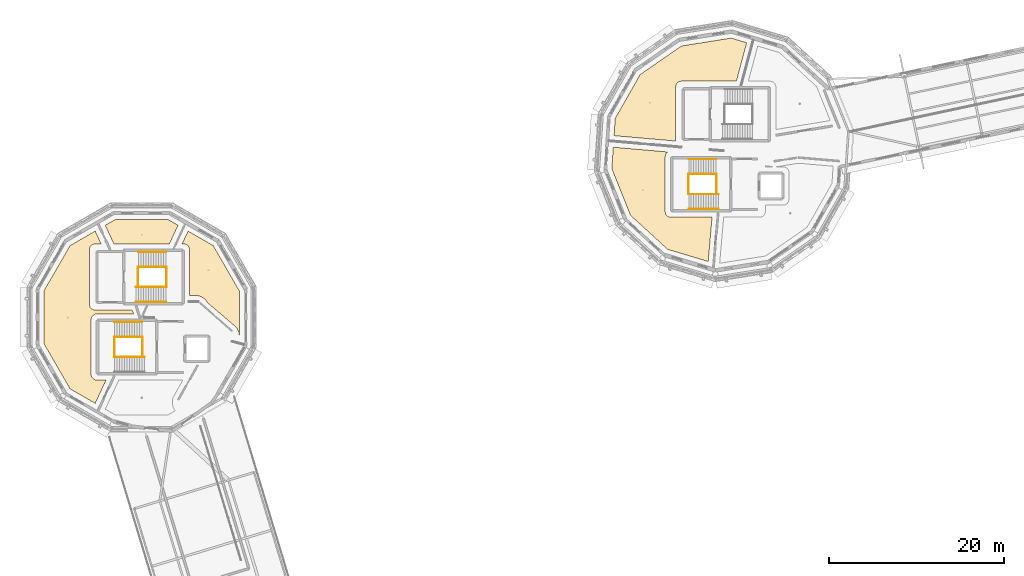
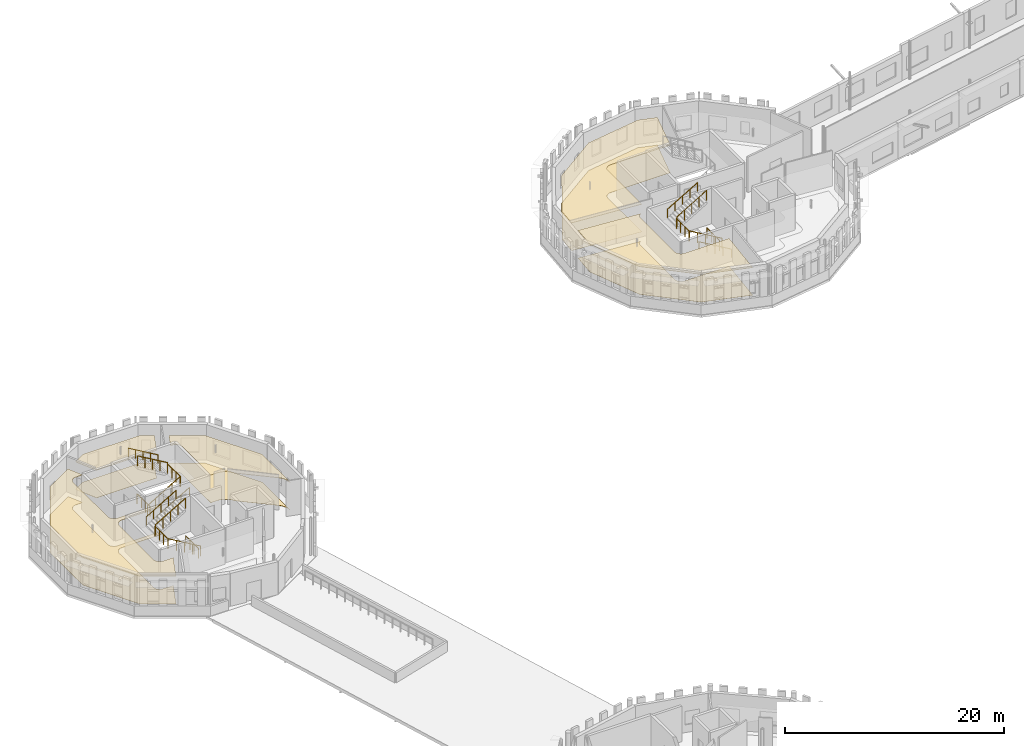
# One storey, part 65 of 68: 17 railings, 10 coverings.
"""IFC4 building model written with IfcOpenShell, lengths in metres."""

from ifc_helpers import new_model, si_unit, direction, frame, origin, origin_2d, place, context, subcontext, project, spatial, polyline, circle, outline, extrude, material, layer, layer_set, type_object, element, save


model = new_model("IFC4")

# Units and contexts
model_context = context("Model", 3, precision=1e-05, world=origin(), true_north=direction((0.0, 1.0)))
body_context = subcontext(model_context, "Body", "Model", "MODEL_VIEW")
ifc_project = project(units=[si_unit("LENGTHUNIT", "METRE"), si_unit("AREAUNIT", "SQUARE_METRE"), si_unit("VOLUMEUNIT", "CUBIC_METRE"), si_unit("PLANEANGLEUNIT", "RADIAN"), si_unit("MASSUNIT", "GRAM", prefix="KILO")], contexts=[model_context])

# Site, building, storey
site_placement = place(None, origin())
site = spatial("IfcSite", under=ifc_project, at=site_placement, CompositionType="ELEMENT")
building_placement = place(site_placement, origin())
building = spatial("IfcBuilding", under=site, at=building_placement, Name="Wrenclough Park School", CompositionType="ELEMENT")
storey_placement = place(building_placement, frame((0.0, 0.0, 12.60009765625)))
storey = spatial("IfcBuildingStorey", under=building, at=storey_placement, Name="L03", CompositionType="ELEMENT", Elevation=12.60009765625)

# Coverings
ifc_material_1 = material(Name="Class A mineral-fibre acoustic ceiling raft", Category="gypsum")
ifc_layer_1 = layer(ifc_material_1, 0.044921875)
ifc_layer_set_1 = layer_set([ifc_layer_1], Name="Class A mineral-fibre acoustic ceiling raft")
covering_type_1 = type_object("IfcCoveringType", Name="INT-COV-CEIL", PredefinedType="CEILING", material=ifc_layer_set_1)
covering_1_placement = place(storey_placement, frame((0.0, 0.0, 3.054931640625)))
element("IfcCovering", 1, at=covering_1_placement, inside=storey, type_object=covering_type_1, Name="Applied Physics Science Laboratory acoustic ceiling raft", PredefinedType="CEILING", context=body_context, shape_type="SweptSolid", body=[
    extrude(outline(polyline([(11.3798828125, 89.8701171875), (15.6103515625, 89.8701171875), (15.395751953125, 90.330078125), (11.1162109375, 90.3330078125), (10.9912109375, 90.35791015625), (10.931396484375, 90.37939453125), (10.81884765625, 90.439453125), (10.767578125, 90.4775390625), (10.677490234375, 90.567626953125), (10.639404296875, 90.618896484375), (10.57958984375, 90.731201171875), (10.54248046875, 90.853271484375), (10.530029296875, 90.97998046875), (10.530029296875, 97.219970703125), (10.54248046875, 97.3466796875), (10.57958984375, 97.46875), (10.639404296875, 97.5810546875), (10.677490234375, 97.63232421875), (10.767578125, 97.722412109375), (10.81884765625, 97.760498046875), (10.931396484375, 97.820556640625), (11.05322265625, 97.857421875), (11.1162109375, 97.866943359375), (11.8798828125, 97.8701171875), (11.19384765625, 99.34130859375), (8.318603515625, 97.681396484375), (5.32421875, 92.494384765625), (5.32421875, 86.505615234375), (8.318603515625, 81.318603515625), (11.19384765625, 79.65869140625), (12.439453125, 82.330078125), (11.3798828125, 82.330078125), (11.253173828125, 82.342529296875), (11.19140625, 82.35791015625), (11.13134765625, 82.37939453125), (11.018798828125, 82.439453125), (10.967529296875, 82.4775390625), (10.87744140625, 82.567626953125), (10.839599609375, 82.618896484375), (10.779541015625, 82.731201171875), (10.758056640625, 82.791259765625), (10.733154296875, 82.916259765625), (10.733154296875, 89.28369140625), (10.758056640625, 89.40869140625), (10.806884765625, 89.5263671875), (10.87744140625, 89.63232421875), (10.967529296875, 89.722412109375), (11.073486328125, 89.793212890625), (11.19140625, 89.842041015625), (11.253173828125, 89.857421875), (11.3798828125, 89.8701171875)])), origin(), (0.0, 0.0, 1.0), 0.044921875),
])
covering_2_placement = place(storey_placement, frame((0.0, 0.0, 3.054931640625)))
element("IfcCovering", 2, at=covering_2_placement, inside=storey, type_object=covering_type_1, Name="Computer Science Classroom acoustic ceiling raft", PredefinedType="CEILING", context=body_context, shape_type="SweptSolid", body=[
    extrude(outline(polyline([(21.969970703125, 97.219970703125), (21.969970703125, 91.9765625), (22.05126953125, 91.991455078125), (22.12060546875, 91.99609375), (22.69873046875, 92.0009765625), (22.806640625, 91.98388671875), (23.183349609375, 91.891845703125), (23.24462890625, 91.87353515625), (23.360595703125, 91.8193359375), (23.77392578125, 91.515625), (23.857177734375, 91.42578125), (24.0244140625, 91.164306640625), (27.230712890625, 88.423095703125), (27.28369140625, 88.372314453125), (27.330810546875, 88.31591796875), (27.37109375, 88.25439453125), (27.523681640625, 87.990234375), (27.571044921875, 87.88916015625), (27.6005859375, 87.781494140625), (27.67578125, 87.34521484375), (27.67578125, 92.494384765625), (24.681396484375, 97.681396484375), (21.80615234375, 99.34130859375), (21.1201171875, 97.8701171875), (21.320068359375, 97.8701171875), (21.44677734375, 97.857421875), (21.568603515625, 97.820556640625), (21.68115234375, 97.760498046875), (21.732421875, 97.722412109375), (21.822509765625, 97.63232421875), (21.893310546875, 97.5263671875), (21.94189453125, 97.40869140625), (21.95751953125, 97.3466796875), (21.969970703125, 97.219970703125)])), origin(), (0.0, 0.0, 1.0), 0.044921875),
])
covering_3_placement = place(storey_placement, frame((0.0, 0.0, 3.054931640625)))
element("IfcCovering", 3, at=covering_3_placement, inside=storey, type_object=covering_type_1, Name="DT Staff Preparation Office acoustic ceiling raft", PredefinedType="CEILING", context=body_context, shape_type="SweptSolid", body=[
    extrude(outline(polyline([(13.336181640625, 97.8701171875), (19.663818359375, 97.8701171875), (20.65869140625, 100.003662109375), (19.494384765625, 100.67578125), (13.505615234375, 100.67578125), (12.34130859375, 100.003662109375), (13.336181640625, 97.8701171875)])), origin(), (0.0, 0.0, 1.0), 0.044921875),
])
covering_4_placement = place(storey_placement, frame((0.0, 0.0, 3.054931640625)))
element("IfcCovering", 4, at=covering_4_placement, inside=storey, type_object=covering_type_1, Name="Languages Classroom 2 acoustic ceiling raft", PredefinedType="CEILING", context=body_context, shape_type="SweptSolid", body=[
    extrude(outline(polyline([(70.617919921875, 112.21826171875), (70.485107421875, 110.247314453125), (77.530029296875, 109.631103515625), (77.530029296875, 115.820068359375), (77.54248046875, 115.94677734375), (77.55810546875, 116.0087890625), (77.57958984375, 116.068603515625), (77.639404296875, 116.18115234375), (77.677490234375, 116.232421875), (77.767578125, 116.322509765625), (77.87353515625, 116.393310546875), (77.9912109375, 116.44189453125), (78.05322265625, 116.45751953125), (78.179931640625, 116.469970703125), (84.462646484375, 116.469970703125), (85.640869140625, 120.866943359375), (83.86962890625, 121.398681640625), (78.18701171875, 120.498779296875), (73.45751953125, 117.222412109375), (70.617919921875, 112.21826171875)])), origin(), (0.0, 0.0, 1.0), 0.044921875),
])
covering_5_placement = place(storey_placement, frame((0.0, 0.0, 3.054931640625)))
element("IfcCovering", 5, at=covering_5_placement, inside=storey, type_object=covering_type_1, Name="Mathematics Classroom 3 acoustic ceiling raft", PredefinedType="CEILING", context=body_context, shape_type="SweptSolid", body=[
    extrude(outline(polyline([(76.65576171875, 108.382568359375), (70.396240234375, 108.93017578125), (70.23095703125, 106.4775390625), (72.373046875, 101.1376953125), (76.619873046875, 97.255859375), (81.242431640625, 95.867919921875), (81.685302734375, 100.929931640625), (76.916259765625, 100.93310546875), (76.853271484375, 100.9423828125), (76.731201171875, 100.9794921875), (76.618896484375, 101.03955078125), (76.567626953125, 101.077392578125), (76.4775390625, 101.16748046875), (76.439453125, 101.218994140625), (76.37939453125, 101.331298828125), (76.342529296875, 101.453125), (76.330078125, 101.580078125), (76.330078125, 107.820068359375), (76.342529296875, 107.94677734375), (76.35791015625, 108.0087890625), (76.40673828125, 108.12646484375), (76.4775390625, 108.232421875), (76.567626953125, 108.322509765625), (76.65576171875, 108.382568359375)])), origin(), (0.0, 0.0, 1.0), 0.044921875),
])
ifc_material_2 = material(Name="Acoustic natural linoleum school flooring", Category="wood")
ifc_layer_2 = layer(ifc_material_2, 0.014892578125)
ifc_layer_set_2 = layer_set([ifc_layer_2], Name="Acoustic natural linoleum school flooring")
covering_type_2 = type_object("IfcCoveringType", Name="INT-COV-FLOOR1", PredefinedType="FLOORING", material=ifc_layer_set_2)
covering_6_placement = place(storey_placement, origin())
element("IfcCovering", 6, at=covering_6_placement, inside=storey, type_object=covering_type_2, Name="Applied Physics Science Laboratory floor finish", PredefinedType="FLOORING", context=body_context, shape_type="SweptSolid", body=[
    extrude(outline(polyline([(11.3798828125, 89.8701171875), (15.6103515625, 89.8701171875), (15.395751953125, 90.330078125), (11.1162109375, 90.3330078125), (10.9912109375, 90.35791015625), (10.931396484375, 90.37939453125), (10.81884765625, 90.439453125), (10.767578125, 90.4775390625), (10.677490234375, 90.567626953125), (10.639404296875, 90.618896484375), (10.57958984375, 90.731201171875), (10.54248046875, 90.853271484375), (10.530029296875, 90.97998046875), (10.530029296875, 97.219970703125), (10.54248046875, 97.3466796875), (10.57958984375, 97.46875), (10.639404296875, 97.5810546875), (10.677490234375, 97.63232421875), (10.767578125, 97.722412109375), (10.81884765625, 97.760498046875), (10.931396484375, 97.820556640625), (11.05322265625, 97.857421875), (11.1162109375, 97.866943359375), (11.8798828125, 97.8701171875), (11.19384765625, 99.34130859375), (8.318603515625, 97.681396484375), (5.32421875, 92.494384765625), (5.32421875, 86.505615234375), (8.318603515625, 81.318603515625), (11.19384765625, 79.65869140625), (12.439453125, 82.330078125), (11.3798828125, 82.330078125), (11.253173828125, 82.342529296875), (11.19140625, 82.35791015625), (11.13134765625, 82.37939453125), (11.018798828125, 82.439453125), (10.967529296875, 82.4775390625), (10.87744140625, 82.567626953125), (10.839599609375, 82.618896484375), (10.779541015625, 82.731201171875), (10.758056640625, 82.791259765625), (10.733154296875, 82.916259765625), (10.733154296875, 89.28369140625), (10.758056640625, 89.40869140625), (10.806884765625, 89.5263671875), (10.87744140625, 89.63232421875), (10.967529296875, 89.722412109375), (11.073486328125, 89.793212890625), (11.19140625, 89.842041015625), (11.253173828125, 89.857421875), (11.3798828125, 89.8701171875)])), origin(), (0.0, 0.0, 1.0), 0.014892578125),
])
covering_7_placement = place(storey_placement, origin())
element("IfcCovering", 7, at=covering_7_placement, inside=storey, type_object=covering_type_2, Name="Computer Science Classroom floor finish", PredefinedType="FLOORING", context=body_context, shape_type="SweptSolid", body=[
    extrude(outline(polyline([(21.969970703125, 97.219970703125), (21.969970703125, 91.9765625), (22.05126953125, 91.991455078125), (22.12060546875, 91.99609375), (22.69873046875, 92.0009765625), (22.806640625, 91.98388671875), (23.183349609375, 91.891845703125), (23.24462890625, 91.87353515625), (23.360595703125, 91.8193359375), (23.77392578125, 91.515625), (23.857177734375, 91.42578125), (24.0244140625, 91.164306640625), (27.230712890625, 88.423095703125), (27.28369140625, 88.372314453125), (27.330810546875, 88.31591796875), (27.37109375, 88.25439453125), (27.523681640625, 87.990234375), (27.571044921875, 87.88916015625), (27.6005859375, 87.781494140625), (27.67578125, 87.34521484375), (27.67578125, 92.494384765625), (24.681396484375, 97.681396484375), (21.80615234375, 99.34130859375), (21.1201171875, 97.8701171875), (21.320068359375, 97.8701171875), (21.44677734375, 97.857421875), (21.568603515625, 97.820556640625), (21.68115234375, 97.760498046875), (21.732421875, 97.722412109375), (21.822509765625, 97.63232421875), (21.893310546875, 97.5263671875), (21.94189453125, 97.40869140625), (21.95751953125, 97.3466796875), (21.969970703125, 97.219970703125)])), origin(), (0.0, 0.0, 1.0), 0.014892578125),
])
covering_8_placement = place(storey_placement, origin())
element("IfcCovering", 8, at=covering_8_placement, inside=storey, type_object=covering_type_2, Name="DT Staff Preparation Office floor finish", PredefinedType="FLOORING", context=body_context, shape_type="SweptSolid", body=[
    extrude(outline(polyline([(13.336181640625, 97.8701171875), (19.663818359375, 97.8701171875), (20.65869140625, 100.003662109375), (19.494384765625, 100.67578125), (13.505615234375, 100.67578125), (12.34130859375, 100.003662109375), (13.336181640625, 97.8701171875)])), origin(), (0.0, 0.0, 1.0), 0.014892578125),
])
covering_9_placement = place(storey_placement, origin())
element("IfcCovering", 9, at=covering_9_placement, inside=storey, type_object=covering_type_2, Name="Languages Classroom 2 floor finish", PredefinedType="FLOORING", context=body_context, shape_type="SweptSolid", body=[
    extrude(outline(polyline([(70.617919921875, 112.21826171875), (70.485107421875, 110.247314453125), (77.530029296875, 109.631103515625), (77.530029296875, 115.820068359375), (77.54248046875, 115.94677734375), (77.55810546875, 116.0087890625), (77.57958984375, 116.068603515625), (77.639404296875, 116.18115234375), (77.677490234375, 116.232421875), (77.767578125, 116.322509765625), (77.87353515625, 116.393310546875), (77.9912109375, 116.44189453125), (78.05322265625, 116.45751953125), (78.179931640625, 116.469970703125), (84.462646484375, 116.469970703125), (85.640869140625, 120.866943359375), (83.86962890625, 121.398681640625), (78.18701171875, 120.498779296875), (73.45751953125, 117.222412109375), (70.617919921875, 112.21826171875)])), origin(), (0.0, 0.0, 1.0), 0.014892578125),
])
covering_10_placement = place(storey_placement, origin())
element("IfcCovering", 10, at=covering_10_placement, inside=storey, type_object=covering_type_2, Name="Mathematics Classroom 3 floor finish", PredefinedType="FLOORING", context=body_context, shape_type="SweptSolid", body=[
    extrude(outline(polyline([(76.65576171875, 108.382568359375), (70.396240234375, 108.93017578125), (70.23095703125, 106.4775390625), (72.373046875, 101.1376953125), (76.619873046875, 97.255859375), (81.242431640625, 95.867919921875), (81.685302734375, 100.929931640625), (76.916259765625, 100.93310546875), (76.853271484375, 100.9423828125), (76.731201171875, 100.9794921875), (76.618896484375, 101.03955078125), (76.567626953125, 101.077392578125), (76.4775390625, 101.16748046875), (76.439453125, 101.218994140625), (76.37939453125, 101.331298828125), (76.342529296875, 101.453125), (76.330078125, 101.580078125), (76.330078125, 107.820068359375), (76.342529296875, 107.94677734375), (76.35791015625, 108.0087890625), (76.40673828125, 108.12646484375), (76.4775390625, 108.232421875), (76.567626953125, 108.322509765625), (76.65576171875, 108.382568359375)])), origin(), (0.0, 0.0, 1.0), 0.014892578125),
])

# Railings
ifc_material_3 = material(Name="Powder-coated steel vertical-baluster stair and atrium guard", Category="steel")
railing_type_1 = type_object("IfcRailingType", Name="INT-RL-GD1120", PredefinedType="GUARDRAIL", material=ifc_material_3)
railing_1_placement = place(storey_placement, frame((16.594970703125, 84.949951171875, 0.0)))
element("IfcRailing", 11, at=railing_1_placement, inside=storey, type_object=railing_type_1, Name="ST-03 L03 well guard 1", PredefinedType="GUARDRAIL", context=body_context, shape_type="SweptSolid", body=[
    extrude(circle(Radius=0.02392578125, at=origin_2d()), frame((0.0, 0.0, 1.09619140625), z_axis=(0.0, 1.0, 0.0), x_axis=(-1.0, 0.0, 0.0)), (0.0, 0.0, 1.0), 2.300048828125),
    extrude(circle(Radius=0.02099609375, at=origin_2d()), origin(), (0.0, 0.0, 1.0), 1.072021484375),
    extrude(circle(Radius=0.02099609375, at=origin_2d()), frame((0.0, 0.7666015625, 0.0)), (0.0, 0.0, 1.0), 1.072021484375),
    extrude(circle(Radius=0.02099609375, at=origin_2d()), frame((0.0, 1.533447265625, 0.0)), (0.0, 0.0, 1.0), 1.072021484375),
    extrude(circle(Radius=0.02099609375, at=origin_2d()), frame((0.0, 2.300048828125, 0.0)), (0.0, 0.0, 1.0), 1.072021484375),
])
railing_2_placement = place(storey_placement, frame((16.840087890625, 84.949951171875, 0.16796875)))
element("IfcRailing", 12, at=railing_2_placement, inside=storey, type_object=railing_type_1, Name="ST-03 L03 well guard 2", PredefinedType="GUARDRAIL", context=body_context, shape_type="SweptSolid", body=[
    extrude(circle(Radius=0.02392578125, at=origin_2d()), frame((0.0, 0.0, 1.09619140625), z_axis=(-0.861492827544, 0.0, 0.507769739242), x_axis=(0.0, -1.0, 0.0)), (0.0, 0.0, 1.0), 3.969970703125),
    extrude(circle(Radius=0.02099609375, at=origin_2d()), origin(), (0.0, 0.0, 1.0), 1.072021484375),
    extrude(circle(Radius=0.02099609375, at=origin_2d()), frame((-0.85498046875, 0.0, 0.50390625)), (0.0, 0.0, 1.0), 1.072021484375),
    extrude(circle(Radius=0.02099609375, at=origin_2d()), frame((-1.7099609375, 0.0, 1.0078125)), (0.0, 0.0, 1.0), 1.072021484375),
    extrude(circle(Radius=0.02099609375, at=origin_2d()), frame((-2.565185546875, 0.0, 1.511962890625)), (0.0, 0.0, 1.0), 1.072021484375),
    extrude(circle(Radius=0.02099609375, at=origin_2d()), frame((-3.420166015625, 0.0, 2.015869140625)), (0.0, 0.0, 1.0), 1.072021484375),
])
railing_3_placement = place(storey_placement, frame((13.3798828125, 84.949951171875, 2.183837890625)))
element("IfcRailing", 13, at=railing_3_placement, inside=storey, type_object=railing_type_1, Name="ST-03 L03 well guard 3", PredefinedType="GUARDRAIL", context=body_context, shape_type="SweptSolid", body=[
    extrude(circle(Radius=0.02392578125, at=origin_2d()), frame((0.0, 0.0, 1.09619140625), z_axis=(0.0, 1.0, 0.0), x_axis=(-1.0, 0.0, 0.0)), (0.0, 0.0, 1.0), 2.300048828125),
    extrude(circle(Radius=0.02099609375, at=origin_2d()), origin(), (0.0, 0.0, 1.0), 1.072021484375),
    extrude(circle(Radius=0.02099609375, at=origin_2d()), frame((0.0, 0.7666015625, 0.0)), (0.0, 0.0, 1.0), 1.072021484375),
    extrude(circle(Radius=0.02099609375, at=origin_2d()), frame((0.0, 1.533447265625, 0.0)), (0.0, 0.0, 1.0), 1.072021484375),
    extrude(circle(Radius=0.02099609375, at=origin_2d()), frame((0.0, 2.300048828125, 0.0)), (0.0, 0.0, 1.0), 1.072021484375),
])
railing_4_placement = place(storey_placement, frame((13.419921875, 87.25, 2.351806640625)))
element("IfcRailing", 14, at=railing_4_placement, inside=storey, type_object=railing_type_1, Name="ST-03 L03 well guard 4", PredefinedType="GUARDRAIL", context=body_context, shape_type="SweptSolid", body=[
    extrude(circle(Radius=0.02392578125, at=origin_2d()), frame((0.0, 0.0, 1.09619140625), z_axis=(0.861450943231, 0.0, 0.507840794351), x_axis=(0.0, 1.0, 0.0)), (0.0, 0.0, 1.0), 3.63916015625),
    extrude(circle(Radius=0.02099609375, at=origin_2d()), origin(), (0.0, 0.0, 1.0), 1.072021484375),
    extrude(circle(Radius=0.02099609375, at=origin_2d()), frame((0.78369140625, 0.0, 0.4619140625)), (0.0, 0.0, 1.0), 1.072021484375),
    extrude(circle(Radius=0.02099609375, at=origin_2d()), frame((1.5673828125, 0.0, 0.924072265625)), (0.0, 0.0, 1.0), 1.072021484375),
    extrude(circle(Radius=0.02099609375, at=origin_2d()), frame((2.351318359375, 0.0, 1.38623046875)), (0.0, 0.0, 1.0), 1.072021484375),
    extrude(circle(Radius=0.02099609375, at=origin_2d()), frame((3.135009765625, 0.0, 1.84814453125)), (0.0, 0.0, 1.0), 1.072021484375),
])
railing_5_placement = place(storey_placement, frame((16.10498046875, 92.949951171875, 0.0)))
element("IfcRailing", 15, at=railing_5_placement, inside=storey, type_object=railing_type_1, Name="ST-07 L03 well guard 1", PredefinedType="GUARDRAIL", context=body_context, shape_type="SweptSolid", body=[
    extrude(circle(Radius=0.02392578125, at=origin_2d()), frame((0.0, 0.0, 1.09619140625), z_axis=(0.0, 1.0, 0.0), x_axis=(-1.0, 0.0, 0.0)), (0.0, 0.0, 1.0), 2.300048828125),
    extrude(circle(Radius=0.02099609375, at=origin_2d()), origin(), (0.0, 0.0, 1.0), 1.072021484375),
    extrude(circle(Radius=0.02099609375, at=origin_2d()), frame((0.0, 0.7666015625, 0.0)), (0.0, 0.0, 1.0), 1.072021484375),
    extrude(circle(Radius=0.02099609375, at=origin_2d()), frame((0.0, 1.533447265625, 0.0)), (0.0, 0.0, 1.0), 1.072021484375),
    extrude(circle(Radius=0.02099609375, at=origin_2d()), frame((0.0, 2.300048828125, 0.0)), (0.0, 0.0, 1.0), 1.072021484375),
])
railing_6_placement = place(storey_placement, frame((15.860107421875, 92.949951171875, 0.16796875)))
element("IfcRailing", 16, at=railing_6_placement, inside=storey, type_object=railing_type_1, Name="ST-07 L03 well guard 2", PredefinedType="GUARDRAIL", context=body_context, shape_type="SweptSolid", body=[
    extrude(circle(Radius=0.02392578125, at=origin_2d()), frame((0.0, 0.0, 1.09619140625), z_axis=(0.861476970849, 0.0, 0.507796641084), x_axis=(0.0, 1.0, 0.0)), (0.0, 0.0, 1.0), 3.9697265625),
    extrude(circle(Radius=0.02099609375, at=origin_2d()), origin(), (0.0, 0.0, 1.0), 1.072021484375),
    extrude(circle(Radius=0.02099609375, at=origin_2d()), frame((0.85498046875, 0.0, 0.50390625)), (0.0, 0.0, 1.0), 1.072021484375),
    extrude(circle(Radius=0.02099609375, at=origin_2d()), frame((1.7099609375, 0.0, 1.0078125)), (0.0, 0.0, 1.0), 1.072021484375),
    extrude(circle(Radius=0.02099609375, at=origin_2d()), frame((2.56494140625, 0.0, 1.511962890625)), (0.0, 0.0, 1.0), 1.072021484375),
    extrude(circle(Radius=0.02099609375, at=origin_2d()), frame((3.419921875, 0.0, 2.015869140625)), (0.0, 0.0, 1.0), 1.072021484375),
])
railing_7_placement = place(storey_placement, frame((19.320068359375, 92.949951171875, 2.183837890625)))
element("IfcRailing", 17, at=railing_7_placement, inside=storey, type_object=railing_type_1, Name="ST-07 L03 well guard 3", PredefinedType="GUARDRAIL", context=body_context, shape_type="SweptSolid", body=[
    extrude(circle(Radius=0.02392578125, at=origin_2d()), frame((0.0, 0.0, 1.09619140625), z_axis=(0.0, 1.0, 0.0), x_axis=(-1.0, 0.0, 0.0)), (0.0, 0.0, 1.0), 2.300048828125),
    extrude(circle(Radius=0.02099609375, at=origin_2d()), origin(), (0.0, 0.0, 1.0), 1.072021484375),
    extrude(circle(Radius=0.02099609375, at=origin_2d()), frame((0.0, 0.7666015625, 0.0)), (0.0, 0.0, 1.0), 1.072021484375),
    extrude(circle(Radius=0.02099609375, at=origin_2d()), frame((0.0, 1.533447265625, 0.0)), (0.0, 0.0, 1.0), 1.072021484375),
    extrude(circle(Radius=0.02099609375, at=origin_2d()), frame((0.0, 2.300048828125, 0.0)), (0.0, 0.0, 1.0), 1.072021484375),
])
railing_8_placement = place(storey_placement, frame((19.280029296875, 95.25, 2.351806640625)))
element("IfcRailing", 18, at=railing_8_placement, inside=storey, type_object=railing_type_1, Name="ST-07 L03 well guard 4", PredefinedType="GUARDRAIL", context=body_context, shape_type="SweptSolid", body=[
    extrude(circle(Radius=0.02392578125, at=origin_2d()), frame((0.0, 0.0, 1.09619140625), z_axis=(-0.861450943231, 0.0, 0.507840794351), x_axis=(0.0, -1.0, 0.0)), (0.0, 0.0, 1.0), 3.63916015625),
    extrude(circle(Radius=0.02099609375, at=origin_2d()), origin(), (0.0, 0.0, 1.0), 1.072021484375),
    extrude(circle(Radius=0.02099609375, at=origin_2d()), frame((-0.78369140625, 0.0, 0.4619140625)), (0.0, 0.0, 1.0), 1.072021484375),
    extrude(circle(Radius=0.02099609375, at=origin_2d()), frame((-1.5673828125, 0.0, 0.924072265625)), (0.0, 0.0, 1.0), 1.072021484375),
    extrude(circle(Radius=0.02099609375, at=origin_2d()), frame((-2.351318359375, 0.0, 1.38623046875)), (0.0, 0.0, 1.0), 1.072021484375),
    extrude(circle(Radius=0.02099609375, at=origin_2d()), frame((-3.135009765625, 0.0, 1.84814453125)), (0.0, 0.0, 1.0), 1.072021484375),
])
railing_9_placement = place(storey_placement, frame((82.195068359375, 103.550048828125, 0.0)))
element("IfcRailing", 19, at=railing_9_placement, inside=storey, type_object=railing_type_1, Name="ST-04 L03 well guard 1", PredefinedType="GUARDRAIL", context=body_context, shape_type="SweptSolid", body=[
    extrude(circle(Radius=0.02392578125, at=origin_2d()), frame((0.0, 0.0, 1.09619140625), z_axis=(0.0, 1.0, 0.0), x_axis=(-1.0, 0.0, 0.0)), (0.0, 0.0, 1.0), 2.300048828125),
    extrude(circle(Radius=0.02099609375, at=origin_2d()), origin(), (0.0, 0.0, 1.0), 1.072021484375),
    extrude(circle(Radius=0.02099609375, at=origin_2d()), frame((0.0, 0.7666015625, 0.0)), (0.0, 0.0, 1.0), 1.072021484375),
    extrude(circle(Radius=0.02099609375, at=origin_2d()), frame((0.0, 1.533447265625, 0.0)), (0.0, 0.0, 1.0), 1.072021484375),
    extrude(circle(Radius=0.02099609375, at=origin_2d()), frame((0.0, 2.300048828125, 0.0)), (0.0, 0.0, 1.0), 1.072021484375),
])
railing_10_placement = place(storey_placement, frame((82.43994140625, 103.550048828125, 0.16796875)))
element("IfcRailing", 20, at=railing_10_placement, inside=storey, type_object=railing_type_1, Name="ST-04 L03 well guard 2", PredefinedType="GUARDRAIL", context=body_context, shape_type="SweptSolid", body=[
    extrude(circle(Radius=0.02392578125, at=origin_2d()), frame((0.0, 0.0, 1.09619140625), z_axis=(-0.861476970849, 0.0, 0.507796641084), x_axis=(0.0, -1.0, 0.0)), (0.0, 0.0, 1.0), 3.9697265625),
    extrude(circle(Radius=0.02099609375, at=origin_2d()), origin(), (0.0, 0.0, 1.0), 1.072021484375),
    extrude(circle(Radius=0.02099609375, at=origin_2d()), frame((-0.85498046875, 0.0, 0.50390625)), (0.0, 0.0, 1.0), 1.072021484375),
    extrude(circle(Radius=0.02099609375, at=origin_2d()), frame((-1.7099609375, 0.0, 1.0078125)), (0.0, 0.0, 1.0), 1.072021484375),
    extrude(circle(Radius=0.02099609375, at=origin_2d()), frame((-2.56494140625, 0.0, 1.511962890625)), (0.0, 0.0, 1.0), 1.072021484375),
    extrude(circle(Radius=0.02099609375, at=origin_2d()), frame((-3.419921875, 0.0, 2.015869140625)), (0.0, 0.0, 1.0), 1.072021484375),
])
railing_11_placement = place(storey_placement, frame((78.97998046875, 103.550048828125, 2.183837890625)))
element("IfcRailing", 21, at=railing_11_placement, inside=storey, type_object=railing_type_1, Name="ST-04 L03 well guard 3", PredefinedType="GUARDRAIL", context=body_context, shape_type="SweptSolid", body=[
    extrude(circle(Radius=0.02392578125, at=origin_2d()), frame((0.0, 0.0, 1.09619140625), z_axis=(0.0, 1.0, 0.0), x_axis=(-1.0, 0.0, 0.0)), (0.0, 0.0, 1.0), 2.300048828125),
    extrude(circle(Radius=0.02099609375, at=origin_2d()), origin(), (0.0, 0.0, 1.0), 1.072021484375),
    extrude(circle(Radius=0.02099609375, at=origin_2d()), frame((0.0, 0.7666015625, 0.0)), (0.0, 0.0, 1.0), 1.072021484375),
    extrude(circle(Radius=0.02099609375, at=origin_2d()), frame((0.0, 1.533447265625, 0.0)), (0.0, 0.0, 1.0), 1.072021484375),
    extrude(circle(Radius=0.02099609375, at=origin_2d()), frame((0.0, 2.300048828125, 0.0)), (0.0, 0.0, 1.0), 1.072021484375),
])
railing_12_placement = place(storey_placement, frame((79.02001953125, 105.85009765625, 2.351806640625)))
element("IfcRailing", 22, at=railing_12_placement, inside=storey, type_object=railing_type_1, Name="ST-04 L03 well guard 4", PredefinedType="GUARDRAIL", context=body_context, shape_type="SweptSolid", body=[
    extrude(circle(Radius=0.02392578125, at=origin_2d()), frame((0.0, 0.0, 1.09619140625), z_axis=(0.861450943231, 0.0, 0.507840794351), x_axis=(0.0, 1.0, 0.0)), (0.0, 0.0, 1.0), 3.63916015625),
    extrude(circle(Radius=0.02099609375, at=origin_2d()), origin(), (0.0, 0.0, 1.0), 1.072021484375),
    extrude(circle(Radius=0.02099609375, at=origin_2d()), frame((0.78369140625, 0.0, 0.4619140625)), (0.0, 0.0, 1.0), 1.072021484375),
    extrude(circle(Radius=0.02099609375, at=origin_2d()), frame((1.5673828125, 0.0, 0.924072265625)), (0.0, 0.0, 1.0), 1.072021484375),
    extrude(circle(Radius=0.02099609375, at=origin_2d()), frame((2.351318359375, 0.0, 1.38623046875)), (0.0, 0.0, 1.0), 1.072021484375),
    extrude(circle(Radius=0.02099609375, at=origin_2d()), frame((3.135009765625, 0.0, 1.84814453125)), (0.0, 0.0, 1.0), 1.072021484375),
])
ifc_material_4 = material(Name="Brushed stainless steel tubular handrail", Category="steel")
railing_type_2 = type_object("IfcRailingType", Name="INT-RL-HR950", PredefinedType="HANDRAIL", material=ifc_material_4)
railing_13_placement = place(storey_placement, frame((13.419921875, 88.949951171875, 2.351806640625)))
element("IfcRailing", 23, at=railing_13_placement, inside=storey, type_object=railing_type_2, Name="ST-03 L03 pitch handrail 2", PredefinedType="HANDRAIL", context=body_context, shape_type="SweptSolid", body=[
    extrude(circle(Radius=0.02392578125, at=origin_2d()), frame((0.0, 0.0, 0.92578125), z_axis=(0.861450943231, 0.0, 0.507840794351), x_axis=(0.0, 1.0, 0.0)), (0.0, 0.0, 1.0), 3.63916015625),
    extrude(circle(Radius=0.02099609375, at=origin_2d()), origin(), (0.0, 0.0, 1.0), 0.90185546875),
    extrude(circle(Radius=0.02099609375, at=origin_2d()), frame((0.78369140625, 0.0, 0.4619140625)), (0.0, 0.0, 1.0), 0.90185546875),
    extrude(circle(Radius=0.02099609375, at=origin_2d()), frame((1.5673828125, 0.0, 0.924072265625)), (0.0, 0.0, 1.0), 0.90185546875),
    extrude(circle(Radius=0.02099609375, at=origin_2d()), frame((2.351318359375, 0.0, 1.38623046875)), (0.0, 0.0, 1.0), 0.90185546875),
    extrude(circle(Radius=0.02099609375, at=origin_2d()), frame((3.135009765625, 0.0, 1.84814453125)), (0.0, 0.0, 1.0), 0.90185546875),
])
railing_14_placement = place(storey_placement, frame((15.860107421875, 91.25, 0.16796875)))
element("IfcRailing", 24, at=railing_14_placement, inside=storey, type_object=railing_type_2, Name="ST-07 L03 pitch handrail 1", PredefinedType="HANDRAIL", context=body_context, shape_type="SweptSolid", body=[
    extrude(circle(Radius=0.02392578125, at=origin_2d()), frame((0.0, 0.0, 0.92578125), z_axis=(0.861476970849, 0.0, 0.507796641084), x_axis=(0.0, 1.0, 0.0)), (0.0, 0.0, 1.0), 3.9697265625),
    extrude(circle(Radius=0.02099609375, at=origin_2d()), origin(), (0.0, 0.0, 1.0), 0.90185546875),
    extrude(circle(Radius=0.02099609375, at=origin_2d()), frame((0.85498046875, 0.0, 0.50390625)), (0.0, 0.0, 1.0), 0.90185546875),
    extrude(circle(Radius=0.02099609375, at=origin_2d()), frame((1.7099609375, 0.0, 1.0078125)), (0.0, 0.0, 1.0), 0.90185546875),
    extrude(circle(Radius=0.02099609375, at=origin_2d()), frame((2.56494140625, 0.0, 1.511962890625)), (0.0, 0.0, 1.0), 0.90185546875),
    extrude(circle(Radius=0.02099609375, at=origin_2d()), frame((3.419921875, 0.0, 2.015869140625)), (0.0, 0.0, 1.0), 0.90185546875),
])
railing_15_placement = place(storey_placement, frame((19.280029296875, 96.949951171875, 2.351806640625)))
element("IfcRailing", 25, at=railing_15_placement, inside=storey, type_object=railing_type_2, Name="ST-07 L03 pitch handrail 2", PredefinedType="HANDRAIL", context=body_context, shape_type="SweptSolid", body=[
    extrude(circle(Radius=0.02392578125, at=origin_2d()), frame((0.0, 0.0, 0.92578125), z_axis=(-0.861450943231, 0.0, 0.507840794351), x_axis=(0.0, -1.0, 0.0)), (0.0, 0.0, 1.0), 3.63916015625),
    extrude(circle(Radius=0.02099609375, at=origin_2d()), origin(), (0.0, 0.0, 1.0), 0.90185546875),
    extrude(circle(Radius=0.02099609375, at=origin_2d()), frame((-0.78369140625, 0.0, 0.4619140625)), (0.0, 0.0, 1.0), 0.90185546875),
    extrude(circle(Radius=0.02099609375, at=origin_2d()), frame((-1.5673828125, 0.0, 0.924072265625)), (0.0, 0.0, 1.0), 0.90185546875),
    extrude(circle(Radius=0.02099609375, at=origin_2d()), frame((-2.351318359375, 0.0, 1.38623046875)), (0.0, 0.0, 1.0), 0.90185546875),
    extrude(circle(Radius=0.02099609375, at=origin_2d()), frame((-3.135009765625, 0.0, 1.84814453125)), (0.0, 0.0, 1.0), 0.90185546875),
])
railing_16_placement = place(storey_placement, frame((82.43994140625, 101.85009765625, 0.16796875)))
element("IfcRailing", 26, at=railing_16_placement, inside=storey, type_object=railing_type_2, Name="ST-04 L03 pitch handrail 1", PredefinedType="HANDRAIL", context=body_context, shape_type="SweptSolid", body=[
    extrude(circle(Radius=0.02392578125, at=origin_2d()), frame((0.0, 0.0, 0.92578125), z_axis=(-0.861476970849, 0.0, 0.507796641084), x_axis=(0.0, -1.0, 0.0)), (0.0, 0.0, 1.0), 3.9697265625),
    extrude(circle(Radius=0.02099609375, at=origin_2d()), origin(), (0.0, 0.0, 1.0), 0.90185546875),
    extrude(circle(Radius=0.02099609375, at=origin_2d()), frame((-0.85498046875, 0.0, 0.50390625)), (0.0, 0.0, 1.0), 0.90185546875),
    extrude(circle(Radius=0.02099609375, at=origin_2d()), frame((-1.7099609375, 0.0, 1.0078125)), (0.0, 0.0, 1.0), 0.90185546875),
    extrude(circle(Radius=0.02099609375, at=origin_2d()), frame((-2.56494140625, 0.0, 1.511962890625)), (0.0, 0.0, 1.0), 0.90185546875),
    extrude(circle(Radius=0.02099609375, at=origin_2d()), frame((-3.419921875, 0.0, 2.015869140625)), (0.0, 0.0, 1.0), 0.90185546875),
])
railing_17_placement = place(storey_placement, frame((79.02001953125, 107.550048828125, 2.351806640625)))
element("IfcRailing", 27, at=railing_17_placement, inside=storey, type_object=railing_type_2, Name="ST-04 L03 pitch handrail 2", PredefinedType="HANDRAIL", context=body_context, shape_type="SweptSolid", body=[
    extrude(circle(Radius=0.02392578125, at=origin_2d()), frame((0.0, 0.0, 0.92578125), z_axis=(0.861450943231, 0.0, 0.507840794351), x_axis=(0.0, 1.0, 0.0)), (0.0, 0.0, 1.0), 3.63916015625),
    extrude(circle(Radius=0.02099609375, at=origin_2d()), origin(), (0.0, 0.0, 1.0), 0.90185546875),
    extrude(circle(Radius=0.02099609375, at=origin_2d()), frame((0.78369140625, 0.0, 0.4619140625)), (0.0, 0.0, 1.0), 0.90185546875),
    extrude(circle(Radius=0.02099609375, at=origin_2d()), frame((1.5673828125, 0.0, 0.924072265625)), (0.0, 0.0, 1.0), 0.90185546875),
    extrude(circle(Radius=0.02099609375, at=origin_2d()), frame((2.351318359375, 0.0, 1.38623046875)), (0.0, 0.0, 1.0), 0.90185546875),
    extrude(circle(Radius=0.02099609375, at=origin_2d()), frame((3.135009765625, 0.0, 1.84814453125)), (0.0, 0.0, 1.0), 0.90185546875),
])

save(model, "model.ifc")
